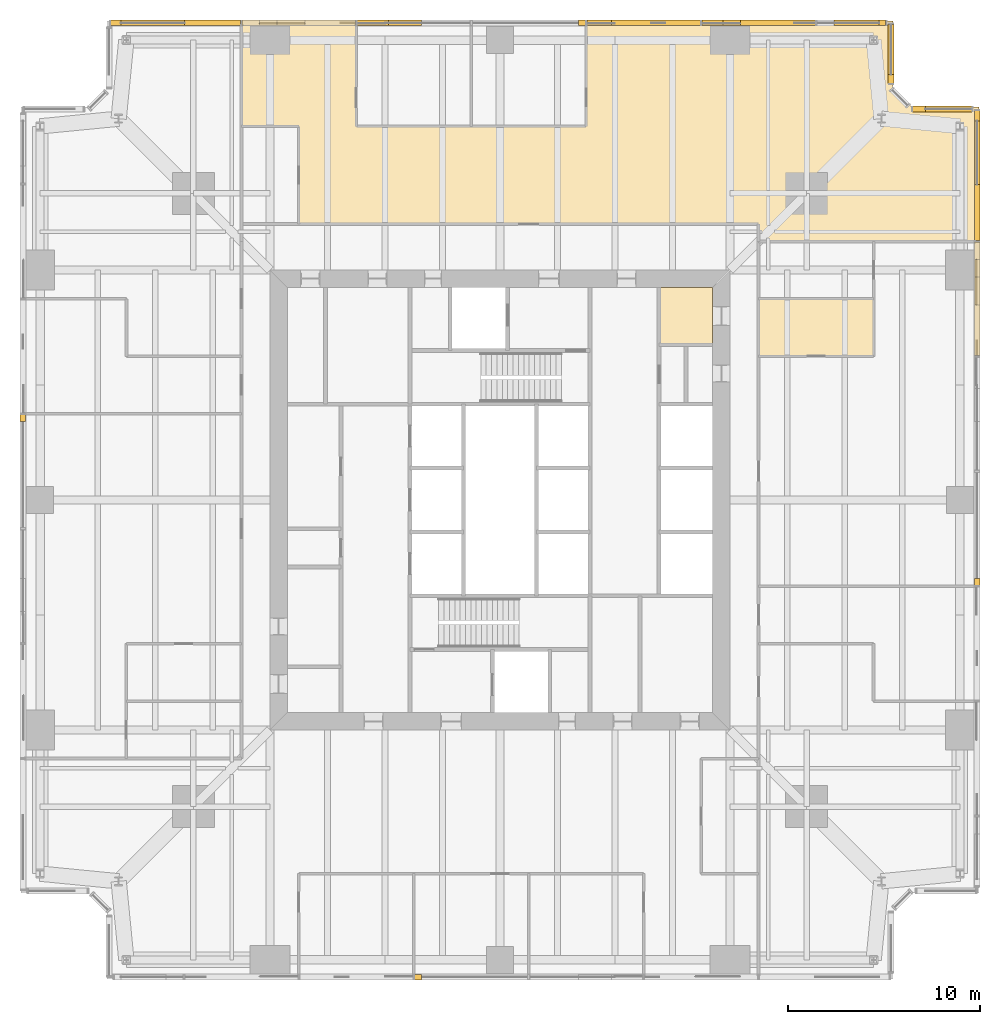
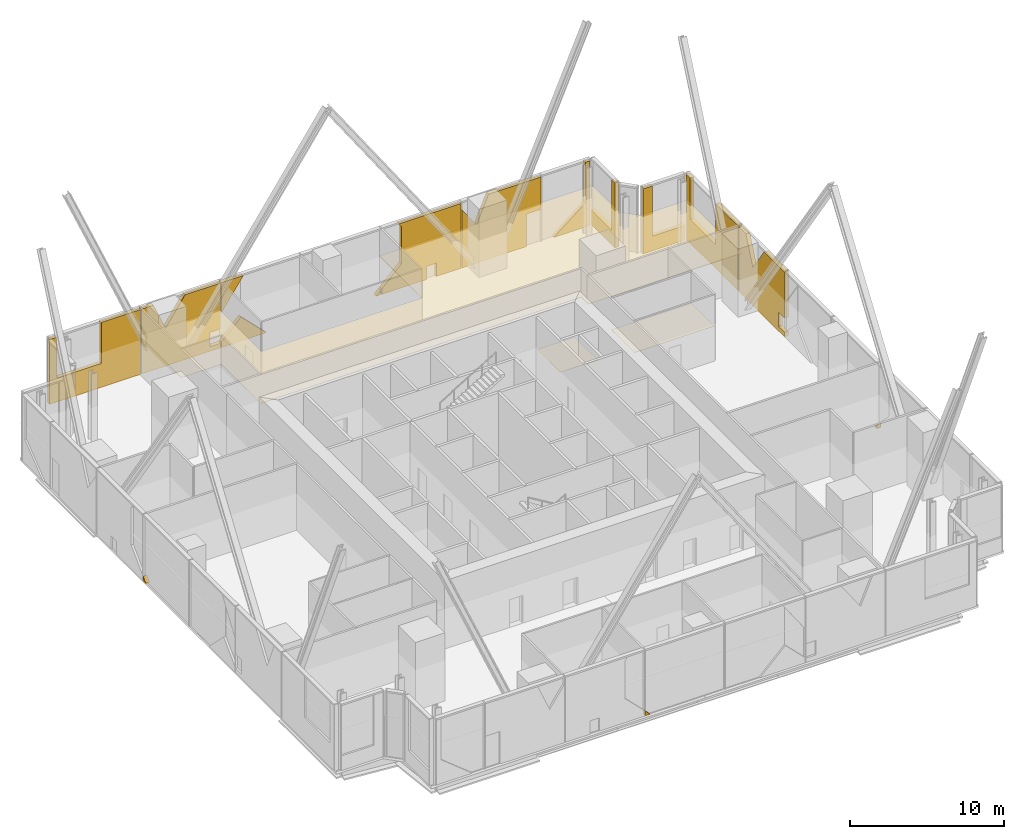
# One storey, part 13 of 13: 18 coverings.
"""IFC4 building model written with IfcOpenShell, lengths in metres."""

from ifc_helpers import new_model, si_unit, direction, frame, origin, place, context, subcontext, project, spatial, polyline, outline, extrude, material, layer, layer_set, type_object, element, save


model = new_model("IFC4")

# Units and contexts
model_context = context("Model", 3, precision=1e-05, world=origin(), true_north=direction((0.0, 1.0)))
body_context = subcontext(model_context, "Body", "Model", "MODEL_VIEW")
ifc_project = project(units=[si_unit("LENGTHUNIT", "METRE"), si_unit("AREAUNIT", "SQUARE_METRE"), si_unit("VOLUMEUNIT", "CUBIC_METRE"), si_unit("PLANEANGLEUNIT", "RADIAN"), si_unit("MASSUNIT", "GRAM", prefix="KILO")], contexts=[model_context])

# Site, building, storey
site_placement = place(None, origin())
site = spatial("IfcSite", under=ifc_project, at=site_placement, CompositionType="ELEMENT")
building_placement = place(site_placement, origin())
building = spatial("IfcBuilding", under=site, at=building_placement, Name="Fenwick Lantern Interchange", CompositionType="ELEMENT")
storey_placement = place(building_placement, frame((0.0, 0.0, 97.0)))
storey = spatial("IfcBuildingStorey", under=building, at=storey_placement, Name="L22", CompositionType="ELEMENT", Elevation=97.0)

# Coverings
ifc_material_1 = material(Name="Mineral fibre acoustic tile on suspended grid")
ifc_layer_1 = layer(ifc_material_1, 0.02001953125)
ifc_layer_set_1 = layer_set([ifc_layer_1], Name="ACOUSTIC TILE CEILING 20")
covering_type_1 = type_object("IfcCoveringType", Name="ACOUSTIC TILE CEILING 20", PredefinedType="CEILING", material=ifc_layer_set_1)
covering_1_placement = place(storey_placement, frame((0.0, 0.0, 2.89990234375)))
element("IfcCovering", 1, at=covering_1_placement, inside=storey, type_object=covering_type_1, Name="Office suite ceiling", PredefinedType="CEILING", context=body_context, shape_type="SweptSolid", body=[
    extrude(outline(polyline([(29.5, 50.0), (29.5, 44.5), (17.5, 44.5), (17.5, 50.0), (11.5, 50.0), (11.5, 44.5), (14.5, 44.5), (14.5, 39.39990234375), (38.5, 39.39990234375), (38.5, 38.5), (50.0, 38.5), (50.0, 45.5), (46.5, 45.5), (45.5, 46.5), (45.5, 50.0), (29.5, 50.0)])), origin(), (0.0, 0.0, 1.0), 0.02001953125),
])
ifc_material_2 = material(Name="Granite cladding, warm grey flamed finish, on aluminium carrier frame", Category="masonry")
ifc_layer_2 = layer(ifc_material_2, 0.300048828125)
ifc_layer_set_2 = layer_set([ifc_layer_2], Name="BRACE CASING PANEL 300")
covering_type_2 = type_object("IfcCoveringType", Name="BRACE CASING PANEL 300", PredefinedType="CLADDING", material=ifc_layer_set_2)
for number, where, z_axis, x_axis, name in (
    (2, (4.60009765625, 0.10009765625, 0.0), (0.0, 0.0, 1.0), (1.0, 0.0, 0.0), "Brace casing 01 bay 03a"),
    (3, (49.89990234375, 4.60009765625, 0.0), (0.0, 0.0, 1.0), (0.0, 1.0, 0.0), "Brace casing 05 bay 03a"),
):
    element("IfcCovering", number, at=place(storey_placement, frame(where, z_axis=z_axis, x_axis=x_axis)), inside=storey, type_object=covering_type_2, Name=name, PredefinedType="CLADDING", context=body_context, shape_type="SweptSolid", body=[
        extrude(outline(polyline([(15.93994140625, 0.0), (16.295654296875, 0.0), (15.93994140625, 0.35546875), (15.93994140625, 0.0)])), frame((0.0, 0.14990234375, 0.0), z_axis=(0.0, -1.0, 0.0), x_axis=(1.0, 0.0, 0.0)), (0.0, 0.0, 1.0), 0.300048828125),
    ])
covering_2_placement = place(storey_placement, frame((49.89990234375, 4.60009765625, 0.0), z_axis=(0.0, 0.0, 1.0), x_axis=(0.0, 1.0, 0.0)))
element("IfcCovering", 4, at=covering_2_placement, inside=storey, type_object=covering_type_2, Name="Brace casing 05 bay 05a", PredefinedType="CLADDING", context=body_context, shape_type="SweptSolid", body=[
    extrude(outline(polyline([(27.93994140625, 0.0), (33.860107421875, 0.0), (33.860107421875, 5.1298828125), (32.940185546875, 5.1298828125), (32.034423828125, 3.017822265625), (30.585205078125, 5.1298828125), (27.93994140625, 5.1298828125), (27.93994140625, 1.492431640625), (28.715087890625, 1.492431640625), (28.715087890625, 0.35546875), (27.93994140625, 0.35546875), (27.93994140625, 0.0)])), frame((0.0, 0.14990234375, 0.0), z_axis=(0.0, -1.0, 0.0), x_axis=(1.0, 0.0, 0.0)), (0.0, 0.0, 1.0), 0.300048828125),
])
covering_3_placement = place(storey_placement, frame((49.89990234375, 4.60009765625, 0.0), z_axis=(0.0, 0.0, 1.0), x_axis=(0.0, 1.0, 0.0)))
element("IfcCovering", 5, at=covering_3_placement, inside=storey, type_object=covering_type_2, Name="Brace casing 05 bay 06a", PredefinedType="CLADDING", context=body_context, shape_type="SweptSolid", body=[
    extrude(outline(polyline([(33.93994140625, 0.0), (40.719970703125, 0.0), (40.719970703125, 5.1298828125), (40.18115234375, 5.1298828125), (40.18115234375, 1.880126953125), (36.857421875, 1.880126953125), (36.857421875, 5.1298828125), (33.93994140625, 5.1298828125), (33.93994140625, 0.0)])), frame((0.0, 0.14990234375, 0.0), z_axis=(0.0, -1.0, 0.0), x_axis=(1.0, 0.0, 0.0)), (0.0, 0.0, 1.0), 0.300048828125),
])
covering_4_placement = place(storey_placement, frame((49.89990234375, 45.39990234375, 0.0), z_axis=(0.0, 0.0, 1.0), x_axis=(-1.0, 0.0, 0.0)))
element("IfcCovering", 6, at=covering_4_placement, inside=storey, type_object=covering_type_2, Name="Brace casing 06 bay 00a", PredefinedType="CLADDING", context=body_context, shape_type="SweptSolid", body=[
    extrude(outline(polyline([(0.280029296875, 0.0), (3.361328125, 0.0), (3.361328125, 5.1298828125), (2.699951171875, 5.1298828125), (2.699951171875, 1.14990234375), (0.280029296875, 1.14990234375), (0.280029296875, 0.0)])), frame((0.0, 0.14990234375, 0.0), z_axis=(0.0, -1.0, 0.0), x_axis=(1.0, 0.0, 0.0)), (0.0, 0.0, 1.0), 0.300048828125),
])
covering_5_placement = place(storey_placement, frame((45.39990234375, 46.45849609375, 0.0), z_axis=(0.0, 0.0, 1.0), x_axis=(0.0, 1.0, 0.0)))
element("IfcCovering", 7, at=covering_5_placement, inside=storey, type_object=covering_type_2, Name="Brace casing 08 bay 00a", PredefinedType="CLADDING", context=body_context, shape_type="SweptSolid", body=[
    extrude(outline(polyline([(0.280029296875, 0.0), (3.361328125, 0.0), (3.361328125, 1.14990234375), (0.741455078125, 1.14990234375), (0.741455078125, 5.1298828125), (0.280029296875, 5.1298828125), (0.280029296875, 0.0)])), frame((0.0, 0.14990234375, 0.0), z_axis=(0.0, -1.0, 0.0), x_axis=(1.0, 0.0, 0.0)), (0.0, 0.0, 1.0), 0.300048828125),
])
covering_6_placement = place(storey_placement, frame((45.39990234375, 49.89990234375, 0.0), z_axis=(0.0, 0.0, 1.0), x_axis=(-1.0, 0.0, 0.0)))
element("IfcCovering", 8, at=covering_6_placement, inside=storey, type_object=covering_type_2, Name="Brace casing 09 bay 00a", PredefinedType="CLADDING", context=body_context, shape_type="SweptSolid", body=[
    extrude(outline(polyline([(0.280029296875, 0.0), (2.968994140625, 0.0), (0.618896484375, 1.880126953125), (0.618896484375, 5.1298828125), (0.280029296875, 5.1298828125), (0.280029296875, 0.0)])), frame((0.0, 0.14990234375, 0.0), z_axis=(0.0, -1.0, 0.0), x_axis=(1.0, 0.0, 0.0)), (0.0, 0.0, 1.0), 0.300048828125),
])
covering_7_placement = place(storey_placement, frame((45.39990234375, 49.89990234375, 0.0), z_axis=(0.0, 0.0, 1.0), x_axis=(-1.0, 0.0, 0.0)))
element("IfcCovering", 9, at=covering_7_placement, inside=storey, type_object=covering_type_2, Name="Brace casing 09 bay 01a", PredefinedType="CLADDING", context=body_context, shape_type="SweptSolid", body=[
    extrude(outline(polyline([(5.0400390625, 0.0), (9.860107421875, 0.0), (9.860107421875, 4.61279296875), (8.765625, 3.017822265625), (7.85986328125, 5.1298828125), (3.93994140625, 5.1298828125), (3.93994140625, 2.571533203125), (5.0400390625, 2.571533203125), (5.0400390625, 0.0)])), frame((0.0, 0.14990234375, 0.0), z_axis=(0.0, -1.0, 0.0), x_axis=(1.0, 0.0, 0.0)), (0.0, 0.0, 1.0), 0.300048828125),
])
covering_8_placement = place(storey_placement, frame((45.39990234375, 49.89990234375, 0.0), z_axis=(0.0, 0.0, 1.0), x_axis=(-1.0, 0.0, 0.0)))
element("IfcCovering", 10, at=covering_8_placement, inside=storey, type_object=covering_type_2, Name="Brace casing 09 bay 02a", PredefinedType="CLADDING", context=body_context, shape_type="SweptSolid", body=[
    extrude(outline(polyline([(9.93994140625, 0.0), (11.781005859375, 0.0), (11.781005859375, 1.049560546875), (12.5009765625, 1.049560546875), (12.5009765625, 0.0), (15.860107421875, 0.0), (15.860107421875, 0.435546875), (14.39990234375, 1.8955078125), (14.39990234375, 4.86669921875), (14.58056640625, 5.1298828125), (9.93994140625, 5.1298828125), (9.93994140625, 0.0)])), frame((0.0, 0.14990234375, 0.0), z_axis=(0.0, -1.0, 0.0), x_axis=(1.0, 0.0, 0.0)), (0.0, 0.0, 1.0), 0.300048828125),
])
covering_9_placement = place(storey_placement, frame((45.39990234375, 49.89990234375, 0.0), z_axis=(0.0, 0.0, 1.0), x_axis=(-1.0, 0.0, 0.0)))
element("IfcCovering", 11, at=covering_9_placement, inside=storey, type_object=covering_type_2, Name="Brace casing 09 bay 03a", PredefinedType="CLADDING", context=body_context, shape_type="SweptSolid", body=[
    extrude(outline(polyline([(15.93994140625, 0.0), (16.295654296875, 0.0), (15.93994140625, 0.35546875), (15.93994140625, 0.0)])), frame((0.0, 0.14990234375, 0.0), z_axis=(0.0, -1.0, 0.0), x_axis=(1.0, 0.0, 0.0)), (0.0, 0.0, 1.0), 0.300048828125),
])
covering_10_placement = place(storey_placement, frame((45.39990234375, 49.89990234375, 0.0), z_axis=(0.0, 0.0, 1.0), x_axis=(-1.0, 0.0, 0.0)))
element("IfcCovering", 12, at=covering_10_placement, inside=storey, type_object=covering_type_2, Name="Brace casing 09 bay 04a", PredefinedType="CLADDING", context=body_context, shape_type="SweptSolid", body=[
    extrude(outline(polyline([(24.50439453125, 0.0), (27.860107421875, 0.0), (27.860107421875, 0.435546875), (26.39990234375, 1.8955078125), (24.50439453125, 0.0)])), frame((0.0, 0.14990234375, 0.0), z_axis=(0.0, -1.0, 0.0), x_axis=(1.0, 0.0, 0.0)), (0.0, 0.0, 1.0), 0.300048828125),
])
covering_11_placement = place(storey_placement, frame((45.39990234375, 49.89990234375, 2.73876953125), z_axis=(0.0, 0.0, 1.0), x_axis=(-1.0, 0.0, 0.0)))
element("IfcCovering", 13, at=covering_11_placement, inside=storey, type_object=covering_type_2, Name="Brace casing 09 bay 04b", PredefinedType="CLADDING", context=body_context, shape_type="SweptSolid", body=[
    extrude(outline(polyline([(27.860107421875, 0.0), (27.860107421875, 2.39111328125), (26.219482421875, 2.39111328125), (27.860107421875, 0.0)])), frame((0.0, 0.14990234375, 0.0), z_axis=(0.0, -1.0, 0.0), x_axis=(1.0, 0.0, 0.0)), (0.0, 0.0, 1.0), 0.300048828125),
])
covering_12_placement = place(storey_placement, frame((45.39990234375, 49.89990234375, 0.0), z_axis=(0.0, 0.0, 1.0), x_axis=(-1.0, 0.0, 0.0)))
element("IfcCovering", 14, at=covering_12_placement, inside=storey, type_object=covering_type_2, Name="Brace casing 09 bay 05a", PredefinedType="CLADDING", context=body_context, shape_type="SweptSolid", body=[
    extrude(outline(polyline([(27.93994140625, 0.0), (33.860107421875, 0.0), (33.860107421875, 5.1298828125), (32.940185546875, 5.1298828125), (32.034423828125, 3.017822265625), (30.585205078125, 5.1298828125), (27.93994140625, 5.1298828125), (27.93994140625, 1.492431640625), (28.715087890625, 1.492431640625), (28.715087890625, 0.35546875), (27.93994140625, 0.35546875), (27.93994140625, 0.0)])), frame((0.0, 0.14990234375, 0.0), z_axis=(0.0, -1.0, 0.0), x_axis=(1.0, 0.0, 0.0)), (0.0, 0.0, 1.0), 0.300048828125),
])
covering_13_placement = place(storey_placement, frame((45.39990234375, 49.89990234375, 0.0), z_axis=(0.0, 0.0, 1.0), x_axis=(-1.0, 0.0, 0.0)))
element("IfcCovering", 15, at=covering_13_placement, inside=storey, type_object=covering_type_2, Name="Brace casing 09 bay 06a", PredefinedType="CLADDING", context=body_context, shape_type="SweptSolid", body=[
    extrude(outline(polyline([(33.93994140625, 0.0), (40.719970703125, 0.0), (40.719970703125, 5.1298828125), (40.18115234375, 5.1298828125), (40.18115234375, 1.880126953125), (36.857421875, 1.880126953125), (36.857421875, 5.1298828125), (33.93994140625, 5.1298828125), (33.93994140625, 0.0)])), frame((0.0, 0.14990234375, 0.0), z_axis=(0.0, -1.0, 0.0), x_axis=(1.0, 0.0, 0.0)), (0.0, 0.0, 1.0), 0.300048828125),
])
covering_14_placement = place(storey_placement, frame((0.10009765625, 45.39990234375, 0.0), z_axis=(0.0, 0.0, 1.0), x_axis=(0.0, -1.0, 0.0)))
element("IfcCovering", 16, at=covering_14_placement, inside=storey, type_object=covering_type_2, Name="Brace casing 13 bay 03a", PredefinedType="CLADDING", context=body_context, shape_type="SweptSolid", body=[
    extrude(outline(polyline([(15.93994140625, 0.0), (16.295654296875, 0.0), (15.93994140625, 0.35546875), (15.93994140625, 0.0)])), frame((0.0, 0.14990234375, 0.0), z_axis=(0.0, -1.0, 0.0), x_axis=(1.0, 0.0, 0.0)), (0.0, 0.0, 1.0), 0.300048828125),
])
ifc_material_3 = material(Name="Moisture resistant gypsum board on suspended frame, painted")
ifc_layer_3 = layer(ifc_material_3, 0.014892578125)
ifc_layer_set_3 = layer_set([ifc_layer_3], Name="MOISTURE RESISTANT CEILING 15")
covering_type_3 = type_object("IfcCoveringType", Name="MOISTURE RESISTANT CEILING 15", PredefinedType="CEILING", material=ifc_layer_set_3)
covering_15_placement = place(storey_placement, frame((0.0, 0.0, 2.60009765625)))
element("IfcCovering", 17, at=covering_15_placement, inside=storey, type_object=covering_type_3, Name="Accessible WC ceiling", PredefinedType="CEILING", context=body_context, shape_type="SweptSolid", body=[
    extrude(outline(polyline([(36.10009765625, 36.10009765625), (33.300048828125, 36.10009765625), (33.300048828125, 33.10009765625), (36.10009765625, 33.10009765625), (36.10009765625, 36.10009765625)])), origin(), (0.0, 0.0, 1.0), 0.014892578125),
])
covering_16_placement = place(storey_placement, frame((0.0, 0.0, 2.699951171875)))
element("IfcCovering", 18, at=covering_16_placement, inside=storey, type_object=covering_type_3, Name="Pantry ceiling", PredefinedType="CEILING", context=body_context, shape_type="SweptSolid", body=[
    extrude(outline(polyline([(44.5, 32.5), (44.5, 35.5), (38.5, 35.5), (38.5, 32.5), (44.5, 32.5)])), origin(), (0.0, 0.0, 1.0), 0.01513671875),
])

save(model, "model.ifc")
